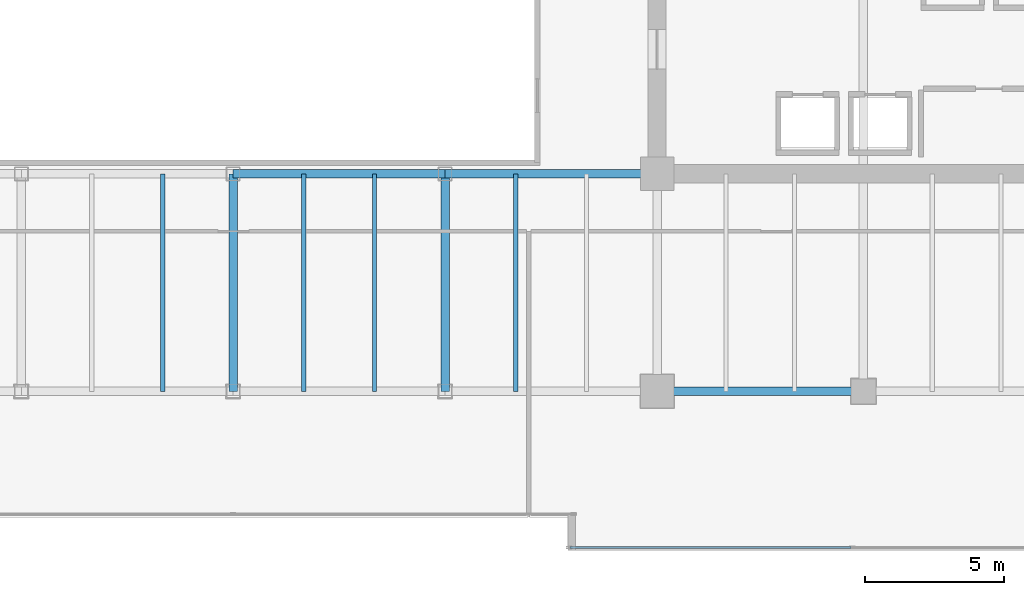
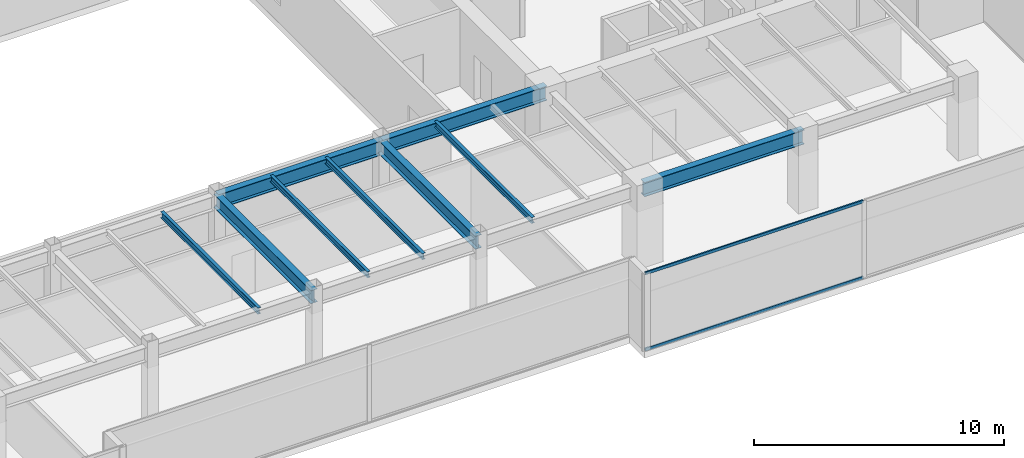
# One storey, part 11 of 33: 9 beams, 2 members, 1 element without a shape of its own.
"""IFC4 building model written with IfcOpenShell, lengths in metres."""

from ifc_helpers import new_model, si_unit, direction, frame, origin, origin_2d, place, context, subcontext, project, spatial, hollow_rectangle, i_section, extrude, source, transform, mapped, material, layer, layer_set, material_profile, profile_set, type_object, type_shapes, element, aggregate, save


model = new_model("IFC4")

# Units and contexts
model_context = context("Model", 3, precision=1e-05, world=origin(), true_north=direction((0.0, 1.0)))
body_context = subcontext(model_context, "Body", "Model", "MODEL_VIEW")
ifc_project = project(units=[si_unit("LENGTHUNIT", "METRE"), si_unit("AREAUNIT", "SQUARE_METRE"), si_unit("VOLUMEUNIT", "CUBIC_METRE"), si_unit("PLANEANGLEUNIT", "RADIAN"), si_unit("MASSUNIT", "GRAM", prefix="KILO")], contexts=[model_context])

# Site, building, storey
site_placement = place(None, origin())
site = spatial("IfcSite", under=ifc_project, at=site_placement, CompositionType="ELEMENT")
building_placement = place(site_placement, origin())
building = spatial("IfcBuilding", under=site, at=building_placement, Name="Haelvirn Gate Laboratories", CompositionType="ELEMENT")
storey_placement = place(building_placement, frame((0.0, 0.0, 137.89990234375)))
storey = spatial("IfcBuildingStorey", under=building, at=storey_placement, Name="L33", CompositionType="ELEMENT", Elevation=137.89990234375)

# Beams
ifc_material_1 = material(Name="Steel SM355", Category="steel")
ifc_material_profile_1 = material_profile(ifc_material_1, i_section(OverallWidth=0.300048828125, OverallDepth=0.64990234375, WebThickness=0.012939453125, FlangeThickness=0.02197265625, at=origin_2d()), Name="H-650x300x13x22")
ifc_profile_set_1 = profile_set([ifc_material_profile_1], Name="Steel SM355")
beam_type_1 = type_object("IfcBeamType", Name="BM-G-650", PredefinedType="BEAM", material=ifc_profile_set_1)
shared_shape_1 = source(origin(), body_context, "Body", "SweptSolid", [
    extrude(i_section(OverallWidth=0.300048828125, OverallDepth=0.64990234375, WebThickness=0.012939453125, FlangeThickness=0.02197265625, at=origin_2d()), origin(), (0.0, 0.0, 1.0), 7.800048828125),
])
type_shapes(beam_type_1, [shared_shape_1])
for number, where, z_axis, x_axis, name in (
    (1, (37.39990234375, 7.0, 3.465087890625), (0.0, 1.0, 0.0), (-1.0, 0.0, 0.0), "L33 Frame Girder X37.4 (7.0-14.8)"),
    (2, (45.0, 7.0, 3.465087890625), (0.0, 1.0, 0.0), (-1.0, 0.0, 0.0), "L33 Frame Girder X45.0 (7.0-14.8)"),
):
    element("IfcBeam", number, at=place(storey_placement, frame(where, z_axis=z_axis, x_axis=x_axis)), inside=storey, type_object=beam_type_1, Name=name, PredefinedType="BEAM", context=body_context, shape_type="MappedRepresentation", body=[
        mapped(shared_shape_1, transform((0.0, 0.0, 0.0), scale=1.0)),
    ])
ifc_material_profile_2 = material_profile(ifc_material_1, i_section(OverallWidth=0.300048828125, OverallDepth=0.699951171875, WebThickness=0.012939453125, FlangeThickness=0.02392578125, at=origin_2d()), Name="H-700x300x13x24")
ifc_profile_set_2 = profile_set([ifc_material_profile_2], Name="Steel SM355")
beam_type_2 = type_object("IfcBeamType", Name="BM-G-700", PredefinedType="BEAM", material=ifc_profile_set_2)
shared_shape_2 = source(origin(), body_context, "Body", "SweptSolid", [
    extrude(i_section(OverallWidth=0.300048828125, OverallDepth=0.699951171875, WebThickness=0.012939453125, FlangeThickness=0.02392578125, at=origin_2d()), origin(), (0.0, 0.0, 1.0), 7.39990234375),
])
beam_placement = place(storey_placement, frame((52.60009765625, 7.0, 3.440185546875), z_axis=(1.0, 0.0, 0.0), x_axis=(0.0, 1.0, 0.0)))
element("IfcBeam", 3, at=beam_placement, inside=storey, type_object=beam_type_2, Name="L33 Primary Girder Y7.0 (52.6-60.0)", PredefinedType="BEAM", context=body_context, shape_type="MappedRepresentation", body=[
    mapped(shared_shape_2, transform((0.0, 0.0, 0.0), scale=1.0)),
])
shared_shape_3 = source(origin(), body_context, "Body", "SweptSolid", [
    extrude(i_section(OverallWidth=0.300048828125, OverallDepth=0.699951171875, WebThickness=0.012939453125, FlangeThickness=0.02392578125, at=origin_2d()), origin(), (0.0, 0.0, 1.0), 7.60009765625),
])
type_shapes(beam_type_2, [shared_shape_2, shared_shape_3])
for number, where, z_axis, x_axis, name in (
    (4, (37.39990234375, 14.800048828125, 3.440185546875), (1.0, 0.0, 0.0), (0.0, 1.0, 0.0), "L33 Primary Girder Y14.8 (37.4-45.0)"),
    (5, (45.0, 14.800048828125, 3.440185546875), (1.0, 0.0, 0.0), (0.0, 1.0, 0.0), "L33 Primary Girder Y14.8 (45.0-52.6)"),
):
    element("IfcBeam", number, at=place(storey_placement, frame(where, z_axis=z_axis, x_axis=x_axis)), inside=storey, type_object=beam_type_2, Name=name, PredefinedType="BEAM", context=body_context, shape_type="MappedRepresentation", body=[
        mapped(shared_shape_3, transform((0.0, 0.0, 0.0), scale=1.0)),
    ])
ifc_material_profile_3 = material_profile(ifc_material_1, i_section(OverallWidth=0.14990234375, OverallDepth=0.300048828125, WebThickness=0.006591796875, FlangeThickness=0.009033203125, at=origin_2d()), Name="H-300x150x6.5x9")
ifc_profile_set_3 = profile_set([ifc_material_profile_3], Name="Steel SM355")
beam_type_3 = type_object("IfcBeamType", Name="BM-J-300", PredefinedType="JOIST", material=ifc_profile_set_3)
shared_shape_4 = source(origin(), body_context, "Body", "SweptSolid", [
    extrude(i_section(OverallWidth=0.14990234375, OverallDepth=0.300048828125, WebThickness=0.006591796875, FlangeThickness=0.009033203125, at=origin_2d()), origin(), (0.0, 0.0, 1.0), 7.800048828125),
])
type_shapes(beam_type_3, [shared_shape_4])
for number, where, z_axis, x_axis, name in (
    (6, (34.8701171875, 7.0, 3.64013671875), (0.0, 1.0, 0.0), (-1.0, 0.0, 0.0), "L33 Composite Lab Joist South X34.87"),
    (7, (39.929931640625, 7.0, 3.64013671875), (0.0, 1.0, 0.0), (-1.0, 0.0, 0.0), "L33 Composite Lab Joist South X39.93"),
    (8, (42.469970703125, 7.0, 3.64013671875), (0.0, 1.0, 0.0), (-1.0, 0.0, 0.0), "L33 Composite Lab Joist South X42.47"),
    (9, (47.530029296875, 7.0, 3.64013671875), (0.0, 1.0, 0.0), (-1.0, 0.0, 0.0), "L33 Composite Lab Joist South X47.53"),
):
    element("IfcBeam", number, at=place(storey_placement, frame(where, z_axis=z_axis, x_axis=x_axis)), inside=storey, type_object=beam_type_3, Name=name, PredefinedType="JOIST", context=body_context, shape_type="MappedRepresentation", body=[
        mapped(shared_shape_4, transform((0.0, 0.0, 0.0), scale=1.0)),
    ])

# Curtain wall, members
ifc_material_2 = material(Name="Anodised bronze unitised aluminium & triple low-E glass", Category="aluminium")
ifc_layer = layer(ifc_material_2, 0.179931640625, Name="CW-SYS-3")
ifc_layer_set = layer_set([ifc_layer], Name="Anodised bronze unitised aluminium & triple low-E glass")
curtain_wall_type = type_object("IfcCurtainWallType", Name="CW-SYS-3", PredefinedType="NOTDEFINED", material=ifc_layer_set)
curtain_wall_placement = place(storey_placement, origin())
curtain_wall = element("IfcCurtainWall", 10, at=curtain_wall_placement, inside=storey, type_object=curtain_wall_type, Name="L33 Unitised Curtain Wall CW-L33-P0-E04-1", PredefinedType="NOTDEFINED")
ifc_material_3 = material(Name="Extruded aluminium 6063-T6 (anodised bronze)", Category="aluminium")
ifc_material_profile_4 = material_profile(ifc_material_3, hollow_rectangle(XDim=0.06494140625, YDim=0.139892578125, WallThickness=0.00390625, at=origin_2d()), Name="CWT-140x65x4")
ifc_profile_set_4 = profile_set([ifc_material_profile_4], Name="Extruded aluminium 6063-T6 (anodised bronze)")
member_type = type_object("IfcMemberType", Name="CWT-T140", PredefinedType="USERDEFINED", material=ifc_profile_set_4)
shared_shape_5 = source(origin(), body_context, "Body", "SweptSolid", [
    extrude(hollow_rectangle(XDim=0.06494140625, YDim=0.139892578125, WallThickness=0.00390625, at=origin_2d()), origin(), (0.0, 0.0, 1.0), 10.08740234375),
])
type_shapes(member_type, [shared_shape_5])
member_1_placement = place(storey_placement, frame((49.47509765625, 1.39990234375, 0.03271484375), z_axis=(1.0, 0.0, 0.0), x_axis=(0.0, 1.0, 0.0)))
member_1 = element("IfcMember", 11, at=member_1_placement, type_object=member_type, Name="CW3 transom 1.1", ObjectType="TRANSOM", PredefinedType="USERDEFINED", context=body_context, shape_type="MappedRepresentation", body=[
    mapped(shared_shape_5, transform((0.0, 0.0, 0.0), scale=1.0)),
])
member_2_placement = place(storey_placement, frame((49.47509765625, 1.39990234375, 3.757568359375), z_axis=(1.0, 0.0, 0.0), x_axis=(0.0, 1.0, 0.0)))
member_2 = element("IfcMember", 12, at=member_2_placement, type_object=member_type, Name="CW3 transom 1.2", ObjectType="TRANSOM", PredefinedType="USERDEFINED", context=body_context, shape_type="MappedRepresentation", body=[
    mapped(shared_shape_5, transform((0.0, 0.0, 0.0), scale=1.0)),
])
aggregate(curtain_wall, [member_1, member_2])

save(model, "model.ifc")
